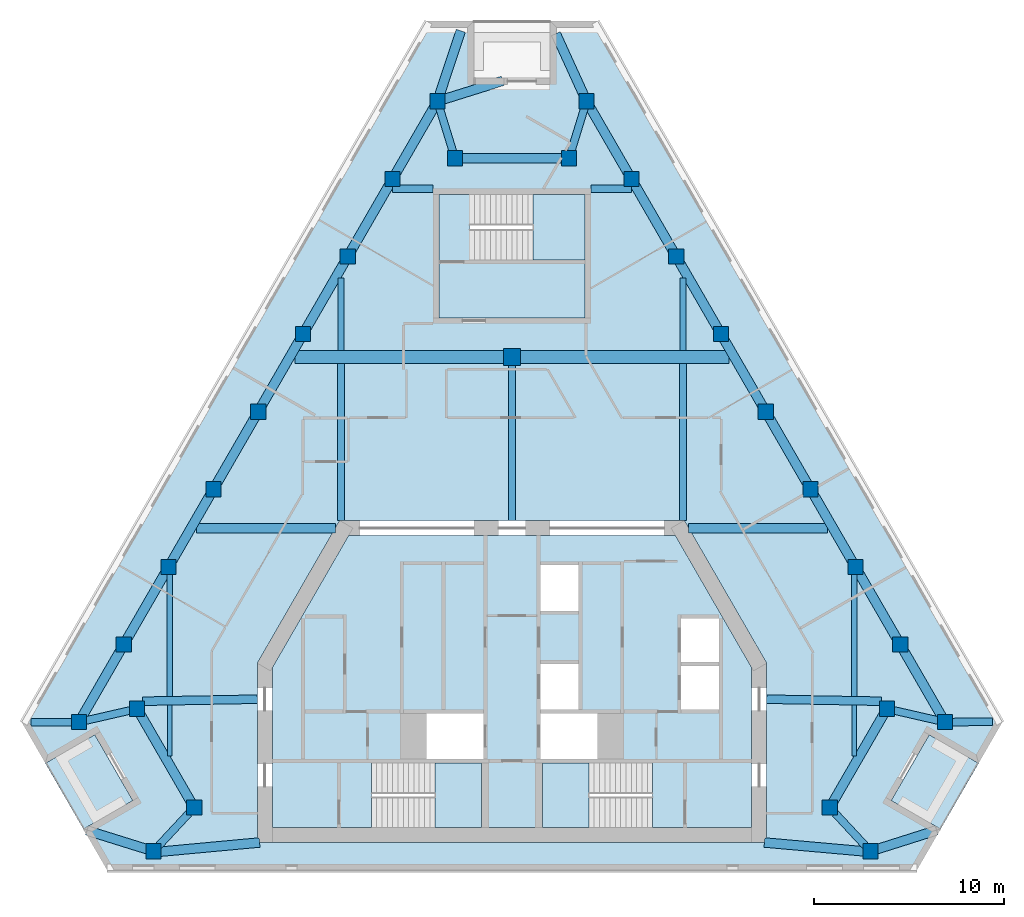
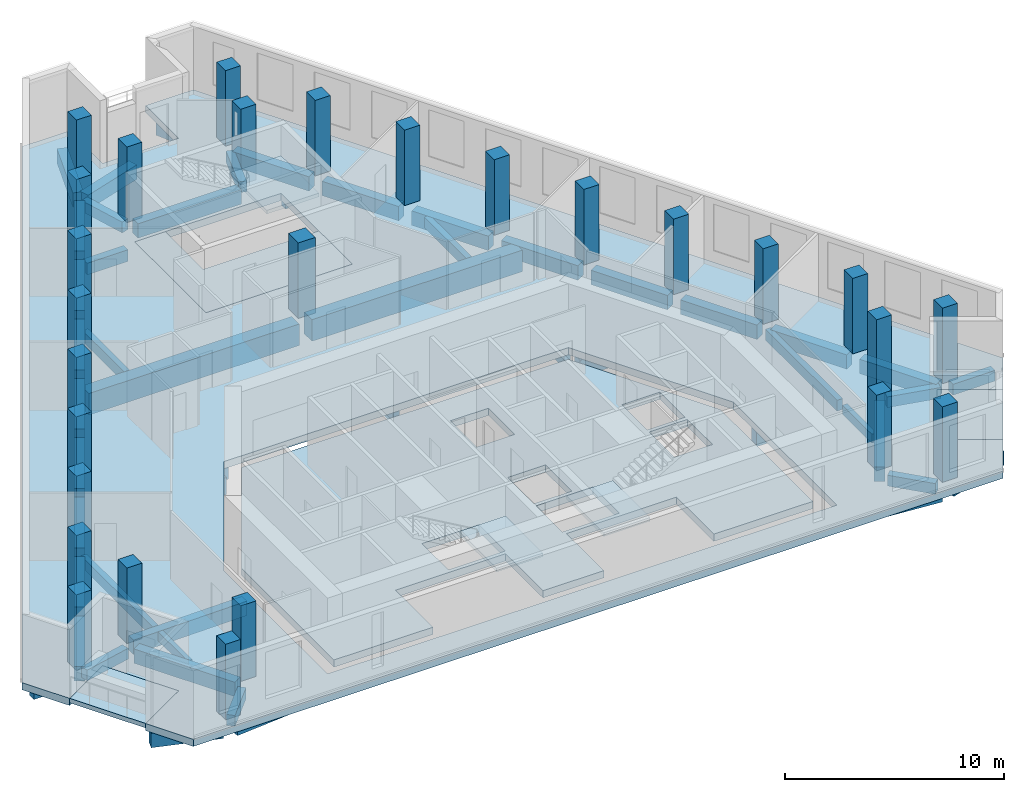
# One storey, part 1 of 8: 51 beams, 27 columns, 8 slabs, 3 elements without a shape of their own.
"""IFC4 building model written with IfcOpenShell, lengths in metres."""

from ifc_helpers import new_model, si_unit, direction, frame, origin, origin_2d, place, context, subcontext, project, spatial, polyline, rectangle, outline, extrude, material, layer, layer_set, material_profile, profile_set, type_object, element, aggregate, save


model = new_model("IFC4")

# Units and contexts
model_context = context("Model", 3, precision=1e-05, world=origin(), true_north=direction((0.0, 1.0)))
body_context = subcontext(model_context, "Body", "Model", "MODEL_VIEW")
ifc_project = project(units=[si_unit("LENGTHUNIT", "METRE"), si_unit("AREAUNIT", "SQUARE_METRE"), si_unit("VOLUMEUNIT", "CUBIC_METRE"), si_unit("PLANEANGLEUNIT", "RADIAN"), si_unit("MASSUNIT", "GRAM", prefix="KILO")], contexts=[model_context])

# Site, building, storey
site_placement = place(None, origin())
site = spatial("IfcSite", under=ifc_project, at=site_placement, CompositionType="ELEMENT")
building_placement = place(site_placement, origin())
building = spatial("IfcBuilding", under=site, at=building_placement, Name="Fogline Exchange Tower", CompositionType="ELEMENT")
storey_placement = place(building_placement, frame((0.0, 0.0, 275.10009765625)))
storey = spatial("IfcBuildingStorey", under=building, at=storey_placement, Name="L62", CompositionType="ELEMENT", Elevation=275.10009765625)

# Columns
ifc_material_1 = material(Name="Concrete C60", Category="concrete")
ifc_material_profile_1 = material_profile(ifc_material_1, rectangle(XDim=0.89990234375, YDim=0.89990234375, at=origin_2d()), Name="RC 900x900")
ifc_profile_set_1 = profile_set([ifc_material_profile_1], Name="Concrete C60")
column_type_1 = type_object("IfcColumnType", Name="C06", PredefinedType="COLUMN", material=ifc_profile_set_1)
column_placement = place(storey_placement, frame((0.0, 27.0, 0.0), z_axis=(0.0, 0.0, 1.0), x_axis=(1.0, 0.0, 0.0)))
element("IfcColumn", 1, at=column_placement, inside=storey, type_object=column_type_1, Name="IC-0-27", PredefinedType="COLUMN", context=body_context, shape_type="SweptSolid", body=[
    extrude(rectangle(XDim=0.89990234375, YDim=0.89990234375, at=origin_2d()), origin(), (0.0, 0.0, 1.0), 4.199951171875),
])
ifc_material_profile_2 = material_profile(ifc_material_1, rectangle(XDim=0.800048828125, YDim=0.800048828125, at=origin_2d()), Name="RC 800x800")
ifc_profile_set_2 = profile_set([ifc_material_profile_2], Name="Concrete C60")
column_type_2 = type_object("IfcColumnType", Name="C07", PredefinedType="COLUMN", material=ifc_profile_set_2)
for number, where, z_axis, x_axis, name in (
    (2, (-22.7802734375, 7.794189453125, 0.0), (0.0, 0.0, 1.0), (1.0, 0.0, 0.0), "SW-a"),
    (3, (-19.720947265625, 8.4951171875, 0.0), (0.0, 0.0, 1.0), (1.0, 0.0, 0.0), "SW-p4"),
    (4, (-16.720947265625, 3.299072265625, 0.0), (0.0, 0.0, 1.0), (1.0, 0.0, 0.0), "SW-p3"),
    (5, (-18.857666015625, 1.0, 0.0), (0.0, 0.0, 1.0), (1.0, 0.0, 0.0), "SW-b"),
    (6, (18.857666015625, 1.0, 0.0), (0.0, 0.0, 1.0), (1.0, 0.0, 0.0), "SE-a"),
    (7, (16.720947265625, 3.299072265625, 0.0), (0.0, 0.0, 1.0), (1.0, 0.0, 0.0), "SE-p4"),
    (8, (19.720947265625, 8.4951171875, 0.0), (0.0, 0.0, 1.0), (1.0, 0.0, 0.0), "SE-p3"),
    (9, (22.7802734375, 7.794189453125, 0.0), (0.0, 0.0, 1.0), (1.0, 0.0, 0.0), "SE-b"),
    (10, (20.423095703125, 11.876953125, 0.0), (0.0, 0.0, 1.0), (1.0, 0.0, 0.0), "E1"),
    (11, (18.06591796875, 15.959716796875, 0.0), (0.0, 0.0, 1.0), (1.0, 0.0, 0.0), "E2"),
    (12, (15.708740234375, 20.04248046875, 0.0), (0.0, 0.0, 1.0), (1.0, 0.0, 0.0), "E3"),
    (13, (13.3515625, 24.12548828125, 0.0), (0.0, 0.0, 1.0), (1.0, 0.0, 0.0), "E4"),
    (14, (10.994384765625, 28.208251953125, 0.0), (0.0, 0.0, 1.0), (1.0, 0.0, 0.0), "E5"),
    (15, (8.63720703125, 32.291015625, 0.0), (0.0, 0.0, 1.0), (1.0, 0.0, 0.0), "E6"),
    (16, (6.27978515625, 36.373779296875, 0.0), (0.0, 0.0, 1.0), (1.0, 0.0, 0.0), "E7"),
    (17, (3.922607421875, 40.456787109375, 0.0), (0.0, 0.0, 1.0), (1.0, 0.0, 0.0), "N-a"),
    (18, (3.0, 37.456787109375, 0.0), (0.0, 0.0, 1.0), (1.0, 0.0, 0.0), "N-p4"),
    (19, (-3.0, 37.456787109375, 0.0), (0.0, 0.0, 1.0), (1.0, 0.0, 0.0), "N-p3"),
    (20, (-3.922607421875, 40.456787109375, 0.0), (0.0, 0.0, 1.0), (1.0, 0.0, 0.0), "N-b"),
    (21, (-6.27978515625, 36.373779296875, 0.0), (0.0, 0.0, 1.0), (1.0, 0.0, 0.0), "W1"),
    (22, (-8.63720703125, 32.291015625, 0.0), (0.0, 0.0, 1.0), (1.0, 0.0, 0.0), "W2"),
    (23, (-10.994384765625, 28.208251953125, 0.0), (0.0, 0.0, 1.0), (1.0, 0.0, 0.0), "W3"),
    (24, (-13.3515625, 24.12548828125, 0.0), (0.0, 0.0, 1.0), (1.0, 0.0, 0.0), "W4"),
    (25, (-15.708740234375, 20.04248046875, 0.0), (0.0, 0.0, 1.0), (1.0, 0.0, 0.0), "W5"),
    (26, (-18.06591796875, 15.959716796875, 0.0), (0.0, 0.0, 1.0), (1.0, 0.0, 0.0), "W6"),
    (27, (-20.423095703125, 11.876953125, 0.0), (0.0, 0.0, 1.0), (1.0, 0.0, 0.0), "W7"),
):
    element("IfcColumn", number, at=place(storey_placement, frame(where, z_axis=z_axis, x_axis=x_axis)), inside=storey, type_object=column_type_2, Name=name, PredefinedType="COLUMN", context=body_context, shape_type="SweptSolid", body=[
        extrude(rectangle(XDim=0.800048828125, YDim=0.800048828125, at=origin_2d()), origin(), (0.0, 0.0, 1.0), 4.199951171875),
    ])

# Beams
ifc_material_2 = material(Name="Concrete C40", Category="concrete")
ifc_material_profile_3 = material_profile(ifc_material_2, rectangle(XDim=0.300048828125, YDim=0.60009765625, at=origin_2d()), Name="RC 300x600")
ifc_profile_set_3 = profile_set([ifc_material_profile_3], Name="Concrete C40")
beam_type_1 = type_object("IfcBeamType", Name="B06", PredefinedType="BEAM", material=ifc_profile_set_3)
beam_1_placement = place(storey_placement, frame((-18.0, 9.1435546875, -0.7001953125), z_axis=(0.0, 1.0, 0.0), x_axis=(-1.0, 0.0, 0.0)))
element("IfcBeam", 28, at=beam_1_placement, inside=storey, type_object=beam_type_1, Name="SB002", PredefinedType="BEAM", context=body_context, shape_type="SweptSolid", body=[
    extrude(rectangle(XDim=0.300048828125, YDim=0.60009765625, at=origin_2d()), origin(), (0.0, 0.0, 1.0), 6.5361328125),
])
for number, where, z_axis, x_axis, name in (
    (29, (-9.0, 27.35009765625, -0.7001953125), (0.0, 1.0, 0.0), (-1.0, 0.0, 0.0), "SB004"),
    (30, (9.0, 27.35009765625, -0.7001953125), (0.0, 1.0, 0.0), (-1.0, 0.0, 0.0), "SB007"),
):
    element("IfcBeam", number, at=place(storey_placement, frame(where, z_axis=z_axis, x_axis=x_axis)), inside=storey, type_object=beam_type_1, Name=name, PredefinedType="BEAM", context=body_context, shape_type="SweptSolid", body=[
        extrude(rectangle(XDim=0.300048828125, YDim=0.60009765625, at=origin_2d()), origin(), (0.0, 0.0, 1.0), 3.812255859375),
    ])
beam_2_placement = place(storey_placement, frame((18.0, 9.1435546875, -0.7001953125), z_axis=(0.0, 1.0, 0.0), x_axis=(-1.0, 0.0, 0.0)))
element("IfcBeam", 31, at=beam_2_placement, inside=storey, type_object=beam_type_1, Name="SB009", PredefinedType="BEAM", context=body_context, shape_type="SweptSolid", body=[
    extrude(rectangle(XDim=0.300048828125, YDim=0.60009765625, at=origin_2d()), origin(), (0.0, 0.0, 1.0), 6.5361328125),
])
ifc_material_profile_4 = material_profile(ifc_material_2, rectangle(XDim=0.25, YDim=0.5, at=origin_2d()), Name="RC 250x500")
ifc_profile_set_4 = profile_set([ifc_material_profile_4], Name="Concrete C40")
beam_type_2 = type_object("IfcBeamType", Name="B08", PredefinedType="BEAM", material=ifc_profile_set_4)
for number, where, z_axis, x_axis, name in (
    (32, (-18.0, 6.014404296875, -0.650146484375), (0.0, 1.0, 0.0), (-1.0, 0.0, 0.0), "SB001"),
    (33, (18.0, 6.014404296875, -0.650146484375), (0.0, 1.0, 0.0), (-1.0, 0.0, 0.0), "SB008"),
):
    element("IfcBeam", number, at=place(storey_placement, frame(where, z_axis=z_axis, x_axis=x_axis)), inside=storey, type_object=beam_type_2, Name=name, PredefinedType="BEAM", context=body_context, shape_type="SweptSolid", body=[
        extrude(rectangle(XDim=0.25, YDim=0.5, at=origin_2d()), origin(), (0.0, 0.0, 1.0), 2.67919921875),
    ])
ifc_material_profile_5 = material_profile(ifc_material_2, rectangle(XDim=0.5, YDim=0.800048828125, at=origin_2d()), Name="RC 500x800")
ifc_profile_set_5 = profile_set([ifc_material_profile_5], Name="Concrete C40")
beam_type_3 = type_object("IfcBeamType", Name="B10", PredefinedType="BEAM", material=ifc_profile_set_5)
beam_3_placement = place(storey_placement, frame((-19.550048828125, 8.19921875, -0.800048828125), z_axis=(0.500011318533, -0.866018868928, 0.0), x_axis=(0.866018868928, 0.500011318533, 0.0)))
element("IfcBeam", 34, at=beam_3_placement, inside=storey, type_object=beam_type_3, Name="RB002", PredefinedType="BEAM", context=body_context, shape_type="SweptSolid", body=[
    extrude(rectangle(XDim=0.5, YDim=0.800048828125, at=origin_2d()), origin(), (0.0, 0.0, 1.0), 5.31640625),
])
beam_4_placement = place(storey_placement, frame((-18.5771484375, 0.970703125, -0.800048828125), z_axis=(0.995739815684, 0.092207480512, 0.0), x_axis=(-0.092207480512, 0.995739815684, 0.0)))
element("IfcBeam", 35, at=beam_4_placement, inside=storey, type_object=beam_type_3, Name="RB004", PredefinedType="BEAM", context=body_context, shape_type="SweptSolid", body=[
    extrude(rectangle(XDim=0.5, YDim=0.800048828125, at=origin_2d()), origin(), (0.0, 0.0, 1.0), 5.3193359375),
])
beam_5_placement = place(storey_placement, frame((13.280517578125, 1.460693359375, -0.800048828125), z_axis=(0.996066339578, -0.088610649246, 0.0), x_axis=(0.088610649246, 0.996066339578, 0.0)))
element("IfcBeam", 36, at=beam_5_placement, inside=storey, type_object=beam_type_3, Name="RB005", PredefinedType="BEAM", context=body_context, shape_type="SweptSolid", body=[
    extrude(rectangle(XDim=0.5, YDim=0.800048828125, at=origin_2d()), origin(), (0.0, 0.0, 1.0), 5.317626953125),
])
beam_6_placement = place(storey_placement, frame((16.891845703125, 3.59521484375, -0.800048828125), z_axis=(0.500011318533, 0.866018868928, 0.0), x_axis=(-0.866018868928, 0.500011318533, 0.0)))
element("IfcBeam", 37, at=beam_6_placement, inside=storey, type_object=beam_type_3, Name="RB007", PredefinedType="BEAM", context=body_context, shape_type="SweptSolid", body=[
    extrude(rectangle(XDim=0.5, YDim=0.800048828125, at=origin_2d()), origin(), (0.0, 0.0, 1.0), 5.31640625),
])
for number, where, z_axis, x_axis, name in (
    (38, (22.609375, 8.09033203125, -0.800048828125), (-0.500002082887, 0.866024201226, 0.0), (-0.866024201226, -0.500002082887, 0.0), "RB009"),
    (39, (20.252197265625, 12.173095703125, -0.800048828125), (-0.500002082887, 0.866024201226, 0.0), (-0.866024201226, -0.500002082887, 0.0), "RB010"),
    (40, (17.89501953125, 16.255859375, -0.800048828125), (-0.500002082887, 0.866024201226, 0.0), (-0.866024201226, -0.500002082887, 0.0), "RB011"),
):
    element("IfcBeam", number, at=place(storey_placement, frame(where, z_axis=z_axis, x_axis=x_axis)), inside=storey, type_object=beam_type_3, Name=name, PredefinedType="BEAM", context=body_context, shape_type="SweptSolid", body=[
        extrude(rectangle(XDim=0.5, YDim=0.800048828125, at=origin_2d()), origin(), (0.0, 0.0, 1.0), 4.03076171875),
    ])
for number, where, z_axis, x_axis, name in (
    (41, (15.53759765625, 20.338623046875, -0.800048828125), (-0.499956653746, 0.866050428309, 0.0), (-0.866050428309, -0.499956653746, 0.0), "RB012"),
    (42, (13.180419921875, 24.42138671875, -0.800048828125), (-0.499956653746, 0.866050428309, 0.0), (-0.866050428309, -0.499956653746, 0.0), "RB013"),
    (43, (10.8232421875, 28.50439453125, -0.800048828125), (-0.499956653746, 0.866050428309, 0.0), (-0.866050428309, -0.499956653746, 0.0), "RB014"),
):
    element("IfcBeam", number, at=place(storey_placement, frame(where, z_axis=z_axis, x_axis=x_axis)), inside=storey, type_object=beam_type_3, Name=name, PredefinedType="BEAM", context=body_context, shape_type="SweptSolid", body=[
        extrude(rectangle(XDim=0.5, YDim=0.800048828125, at=origin_2d()), origin(), (0.0, 0.0, 1.0), 4.030517578125),
    ])
for number, where, z_axis, x_axis, name in (
    (44, (8.466064453125, 32.587158203125, -0.800048828125), (-0.500002082887, 0.866024201226, 0.0), (-0.866024201226, -0.500002082887, 0.0), "RB015"),
    (45, (6.10888671875, 36.669921875, -0.800048828125), (-0.500002082887, 0.866024201226, 0.0), (-0.866024201226, -0.500002082887, 0.0), "RB016"),
):
    element("IfcBeam", number, at=place(storey_placement, frame(where, z_axis=z_axis, x_axis=x_axis)), inside=storey, type_object=beam_type_3, Name=name, PredefinedType="BEAM", context=body_context, shape_type="SweptSolid", body=[
        extrude(rectangle(XDim=0.5, YDim=0.800048828125, at=origin_2d()), origin(), (0.0, 0.0, 1.0), 4.03076171875),
    ])
beam_7_placement = place(storey_placement, frame((2.719970703125, 37.456787109375, -0.800048828125), z_axis=(-1.0, 0.0, 0.0), x_axis=(0.0, -1.0, 0.0)))
element("IfcBeam", 46, at=beam_7_placement, inside=storey, type_object=beam_type_3, Name="RB018", PredefinedType="BEAM", context=body_context, shape_type="SweptSolid", body=[
    extrude(rectangle(XDim=0.5, YDim=0.800048828125, at=origin_2d()), origin(), (0.0, 0.0, 1.0), 5.43994140625),
])
for number, where, z_axis, x_axis, name in (
    (47, (-4.093505859375, 40.16064453125, -0.800048828125), (-0.500002082887, -0.866024201226, 0.0), (0.866024201226, -0.500002082887, 0.0), "RB020"),
    (48, (-6.45068359375, 36.077880859375, -0.800048828125), (-0.500002082887, -0.866024201226, 0.0), (0.866024201226, -0.500002082887, 0.0), "RB021"),
):
    element("IfcBeam", number, at=place(storey_placement, frame(where, z_axis=z_axis, x_axis=x_axis)), inside=storey, type_object=beam_type_3, Name=name, PredefinedType="BEAM", context=body_context, shape_type="SweptSolid", body=[
        extrude(rectangle(XDim=0.5, YDim=0.800048828125, at=origin_2d()), origin(), (0.0, 0.0, 1.0), 4.03076171875),
    ])
for number, where, z_axis, x_axis, name in (
    (49, (-8.80810546875, 31.9951171875, -0.800048828125), (-0.499956653746, -0.866050428309, 0.0), (0.866050428309, -0.499956653746, 0.0), "RB022"),
    (50, (-11.165283203125, 27.912109375, -0.800048828125), (-0.499956653746, -0.866050428309, 0.0), (0.866050428309, -0.499956653746, 0.0), "RB023"),
    (51, (-13.5224609375, 23.829345703125, -0.800048828125), (-0.499956653746, -0.866050428309, 0.0), (0.866050428309, -0.499956653746, 0.0), "RB024"),
):
    element("IfcBeam", number, at=place(storey_placement, frame(where, z_axis=z_axis, x_axis=x_axis)), inside=storey, type_object=beam_type_3, Name=name, PredefinedType="BEAM", context=body_context, shape_type="SweptSolid", body=[
        extrude(rectangle(XDim=0.5, YDim=0.800048828125, at=origin_2d()), origin(), (0.0, 0.0, 1.0), 4.030517578125),
    ])
for number, where, z_axis, x_axis, name in (
    (52, (-15.879638671875, 19.74658203125, -0.800048828125), (-0.500002082887, -0.866024201226, 0.0), (0.866024201226, -0.500002082887, 0.0), "RB025"),
    (53, (-18.23681640625, 15.663818359375, -0.800048828125), (-0.500002082887, -0.866024201226, 0.0), (0.866024201226, -0.500002082887, 0.0), "RB026"),
    (54, (-20.593994140625, 11.5810546875, -0.800048828125), (-0.500002082887, -0.866024201226, 0.0), (0.866024201226, -0.500002082887, 0.0), "RB027"),
):
    element("IfcBeam", number, at=place(storey_placement, frame(where, z_axis=z_axis, x_axis=x_axis)), inside=storey, type_object=beam_type_3, Name=name, PredefinedType="BEAM", context=body_context, shape_type="SweptSolid", body=[
        extrude(rectangle(XDim=0.5, YDim=0.800048828125, at=origin_2d()), origin(), (0.0, 0.0, 1.0), 4.03076171875),
    ])
beam_8_placement = place(storey_placement, frame((3.790283203125, 40.747314453125, -0.800048828125), z_axis=(-0.414547672788, 0.910027596827, 0.0), x_axis=(-0.910027596827, -0.414547672788, 0.0)))
element("IfcBeam", 55, at=beam_8_placement, inside=storey, type_object=beam_type_3, Name="SP028", PredefinedType="BEAM", context=body_context, shape_type="SweptSolid", body=[
    extrude(rectangle(XDim=0.5, YDim=0.800048828125, at=origin_2d()), origin(), (0.0, 0.0, 1.0), 3.580810546875),
])
beam_9_placement = place(storey_placement, frame((-3.827880859375, 40.742919921875, -0.800048828125), z_axis=(0.314884052228, 0.949130145793, 0.0), x_axis=(-0.949130145793, 0.314884052228, 0.0)))
element("IfcBeam", 56, at=beam_9_placement, inside=storey, type_object=beam_type_3, Name="SP029", PredefinedType="BEAM", context=body_context, shape_type="SweptSolid", body=[
    extrude(rectangle(XDim=0.5, YDim=0.800048828125, at=origin_2d()), origin(), (0.0, 0.0, 1.0), 3.598388671875),
])
beam_10_placement = place(storey_placement, frame((19.143310546875, 1.09033203125, -0.800048828125), z_axis=(0.953330716542, 0.301928045893, 0.0), x_axis=(-0.301928045893, 0.953330716542, 0.0)))
element("IfcBeam", 57, at=beam_10_placement, inside=storey, type_object=beam_type_3, Name="SP030", PredefinedType="BEAM", context=body_context, shape_type="SweptSolid", body=[
    extrude(rectangle(XDim=0.5, YDim=0.800048828125, at=origin_2d()), origin(), (0.0, 0.0, 1.0), 3.358154296875),
])
beam_11_placement = place(storey_placement, frame((-19.14306640625, 1.089111328125, -0.800048828125), z_axis=(-0.95464851982, 0.297735123231, 0.0), x_axis=(-0.297735123231, -0.95464851982, 0.0)))
element("IfcBeam", 58, at=beam_11_placement, inside=storey, type_object=beam_type_3, Name="SP031", PredefinedType="BEAM", context=body_context, shape_type="SweptSolid", body=[
    extrude(rectangle(XDim=0.5, YDim=0.800048828125, at=origin_2d()), origin(), (0.0, 0.0, 1.0), 3.37353515625),
])
beam_12_placement = place(storey_placement, frame((-3.63720703125, 40.546142578125, -0.800048828125), z_axis=(0.954270342063, 0.298945002063, 0.0), x_axis=(-0.298945002063, 0.954270342063, 0.0)))
element("IfcBeam", 59, at=beam_12_placement, inside=storey, type_object=beam_type_3, Name="SP034", PredefinedType="BEAM", context=body_context, shape_type="SweptSolid", body=[
    extrude(rectangle(XDim=0.5, YDim=0.800048828125, at=origin_2d()), origin(), (0.0, 0.0, 1.0), 3.298583984375),
])
ifc_material_profile_6 = material_profile(ifc_material_2, rectangle(XDim=0.39990234375, YDim=0.60009765625, at=origin_2d()), Name="RC 400x600")
ifc_profile_set_6 = profile_set([ifc_material_profile_6], Name="Concrete C40")
beam_type_4 = type_object("IfcBeamType", Name="B11", PredefinedType="BEAM", material=ifc_profile_set_6)
beam_13_placement = place(storey_placement, frame((-22.497314453125, 7.859130859375, -0.7001953125), z_axis=(0.974742274944, 0.223332705705, 0.0), x_axis=(-0.223332705705, 0.974742274944, 0.0)))
element("IfcBeam", 60, at=beam_13_placement, inside=storey, type_object=beam_type_4, Name="RB001", PredefinedType="BEAM", context=body_context, shape_type="SweptSolid", body=[
    extrude(rectangle(XDim=0.39990234375, YDim=0.60009765625, at=origin_2d()), origin(), (0.0, 0.0, 1.0), 2.55810546875),
])
for number, where, z_axis, x_axis, name in (
    (61, (-17.010986328125, 2.98681640625, -0.7001953125), (-0.680795043466, -0.732473964583, 0.0), (0.732473964583, -0.680795043466, 0.0), "RB003"),
    (62, (18.567626953125, 1.31201171875, -0.7001953125), (-0.680795043466, 0.732473964583, 0.0), (-0.732473964583, -0.680795043466, 0.0), "RB006"),
):
    element("IfcBeam", number, at=place(storey_placement, frame(where, z_axis=z_axis, x_axis=x_axis)), inside=storey, type_object=beam_type_4, Name=name, PredefinedType="BEAM", context=body_context, shape_type="SweptSolid", body=[
        extrude(rectangle(XDim=0.39990234375, YDim=0.60009765625, at=origin_2d()), origin(), (0.0, 0.0, 1.0), 2.28662109375),
    ])
beam_14_placement = place(storey_placement, frame((20.00390625, 8.430419921875, -0.7001953125), z_axis=(0.974742274944, -0.223332705705, 0.0), x_axis=(0.223332705705, 0.974742274944, 0.0)))
element("IfcBeam", 63, at=beam_14_placement, inside=storey, type_object=beam_type_4, Name="RB008", PredefinedType="BEAM", context=body_context, shape_type="SweptSolid", body=[
    extrude(rectangle(XDim=0.39990234375, YDim=0.60009765625, at=origin_2d()), origin(), (0.0, 0.0, 1.0), 2.55810546875),
])
for number, where, z_axis, x_axis, name in (
    (64, (3.8349609375, 40.17138671875, -0.7001953125), (-0.294011603251, -0.955801850361, 0.0), (0.955801850361, -0.294011603251, 0.0), "RB017"),
    (65, (-3.087646484375, 37.741943359375, -0.7001953125), (-0.294011603251, 0.955801850361, 0.0), (-0.955801850361, -0.294011603251, 0.0), "RB019"),
):
    element("IfcBeam", number, at=place(storey_placement, frame(where, z_axis=z_axis, x_axis=x_axis)), inside=storey, type_object=beam_type_4, Name=name, PredefinedType="BEAM", context=body_context, shape_type="SweptSolid", body=[
        extrude(rectangle(XDim=0.39990234375, YDim=0.60009765625, at=origin_2d()), origin(), (0.0, 0.0, 1.0), 2.541748046875),
    ])
beam_15_placement = place(storey_placement, frame((-23.060302734375, 7.794189453125, -0.7001953125), z_axis=(-1.0, 0.0, 0.0), x_axis=(0.0, -1.0, 0.0)))
element("IfcBeam", 66, at=beam_15_placement, inside=storey, type_object=beam_type_4, Name="SP032", PredefinedType="BEAM", context=body_context, shape_type="SweptSolid", body=[
    extrude(rectangle(XDim=0.39990234375, YDim=0.60009765625, at=origin_2d()), origin(), (0.0, 0.0, 1.0), 2.23681640625),
])
beam_16_placement = place(storey_placement, frame((23.060302734375, 7.796142578125, -0.7001953125), z_axis=(0.999974552329, 0.007134051795, 0.0), x_axis=(-0.007134051795, 0.999974552329, 0.0)))
element("IfcBeam", 67, at=beam_16_placement, inside=storey, type_object=beam_type_4, Name="SP033", PredefinedType="BEAM", context=body_context, shape_type="SweptSolid", body=[
    extrude(rectangle(XDim=0.39990234375, YDim=0.60009765625, at=origin_2d()), origin(), (0.0, 0.0, 1.0), 2.224365234375),
])
ifc_material_profile_7 = material_profile(ifc_material_2, rectangle(XDim=0.39990234375, YDim=0.64990234375, at=origin_2d()), Name="RC 400x650")
ifc_profile_set_7 = profile_set([ifc_material_profile_7], Name="Concrete C40")
beam_type_5 = type_object("IfcBeamType", Name="B13", PredefinedType="BEAM", material=ifc_profile_set_7)
for number, where, z_axis, x_axis, name in (
    (68, (-6.28955078125, 35.85693359375, -0.72509765625), (1.0, 0.0, 0.0), (0.0, 1.0, 0.0), "GB007"),
    (69, (4.14990234375, 35.85693359375, -0.72509765625), (1.0, 0.0, 0.0), (0.0, 1.0, 0.0), "GB008"),
):
    element("IfcBeam", number, at=place(storey_placement, frame(where, z_axis=z_axis, x_axis=x_axis)), inside=storey, type_object=beam_type_5, Name=name, PredefinedType="BEAM", context=body_context, shape_type="SweptSolid", body=[
        extrude(rectangle(XDim=0.39990234375, YDim=0.64990234375, at=origin_2d()), origin(), (0.0, 0.0, 1.0), 2.1396484375),
    ])
ifc_material_profile_8 = material_profile(ifc_material_2, rectangle(XDim=0.5, YDim=0.949951171875, at=origin_2d()), Name="RC 500x950")
ifc_profile_set_8 = profile_set([ifc_material_profile_8], Name="Concrete C40")
beam_type_6 = type_object("IfcBeamType", Name="B14", PredefinedType="BEAM", material=ifc_profile_set_8)
for number, where, z_axis, x_axis, name in (
    (70, (-16.599365234375, 18.0, -0.875), (1.0, 0.0, 0.0), (0.0, 1.0, 0.0), "GB003"),
    (71, (9.296142578125, 18.0, -0.875), (1.0, 0.0, 0.0), (0.0, 1.0, 0.0), "GB004"),
):
    element("IfcBeam", number, at=place(storey_placement, frame(where, z_axis=z_axis, x_axis=x_axis)), inside=storey, type_object=beam_type_6, Name=name, PredefinedType="BEAM", context=body_context, shape_type="SweptSolid", body=[
        extrude(rectangle(XDim=0.5, YDim=0.949951171875, at=origin_2d()), origin(), (0.0, 0.0, 1.0), 7.30322265625),
    ])
ifc_material_profile_9 = material_profile(ifc_material_2, rectangle(XDim=0.35009765625, YDim=0.64990234375, at=origin_2d()), Name="RC 350x650")
ifc_profile_set_9 = profile_set([ifc_material_profile_9], Name="Concrete C40")
beam_type_7 = type_object("IfcBeamType", Name="B16", PredefinedType="BEAM", material=ifc_profile_set_9)
beam_17_placement = place(storey_placement, frame((-9.0, 18.39990234375, -0.72509765625), z_axis=(0.0, 1.0, 0.0), x_axis=(-1.0, 0.0, 0.0)))
element("IfcBeam", 72, at=beam_17_placement, inside=storey, type_object=beam_type_7, Name="SB003", PredefinedType="BEAM", context=body_context, shape_type="SweptSolid", body=[
    extrude(rectangle(XDim=0.35009765625, YDim=0.64990234375, at=origin_2d()), origin(), (0.0, 0.0, 1.0), 8.25),
])
beam_18_placement = place(storey_placement, frame((0.0, 18.39990234375, -0.72509765625), z_axis=(0.0, 1.0, 0.0), x_axis=(-1.0, 0.0, 0.0)))
element("IfcBeam", 73, at=beam_18_placement, inside=storey, type_object=beam_type_7, Name="SB005", PredefinedType="BEAM", context=body_context, shape_type="SweptSolid", body=[
    extrude(rectangle(XDim=0.35009765625, YDim=0.64990234375, at=origin_2d()), origin(), (0.0, 0.0, 1.0), 8.27001953125),
])
beam_19_placement = place(storey_placement, frame((9.0, 18.39990234375, -0.72509765625), z_axis=(0.0, 1.0, 0.0), x_axis=(-1.0, 0.0, 0.0)))
element("IfcBeam", 74, at=beam_19_placement, inside=storey, type_object=beam_type_7, Name="SB006", PredefinedType="BEAM", context=body_context, shape_type="SweptSolid", body=[
    extrude(rectangle(XDim=0.35009765625, YDim=0.64990234375, at=origin_2d()), origin(), (0.0, 0.0, 1.0), 8.25),
])
ifc_material_profile_10 = material_profile(ifc_material_2, rectangle(XDim=0.699951171875, YDim=1.199951171875, at=origin_2d()), Name="RC 700x1200")
ifc_profile_set_10 = profile_set([ifc_material_profile_10], Name="Concrete C40")
beam_type_8 = type_object("IfcBeamType", Name="B17", PredefinedType="BEAM", material=ifc_profile_set_10)
for number, where, z_axis, x_axis, name in (
    (75, (-11.4033203125, 27.0, -1.0), (1.0, 0.0, 0.0), (0.0, 1.0, 0.0), "GB005"),
    (76, (0.330078125, 27.0, -1.0), (1.0, 0.0, 0.0), (0.0, 1.0, 0.0), "GB006"),
):
    element("IfcBeam", number, at=place(storey_placement, frame(where, z_axis=z_axis, x_axis=x_axis)), inside=storey, type_object=beam_type_8, Name=name, PredefinedType="BEAM", context=body_context, shape_type="SweptSolid", body=[
        extrude(rectangle(XDim=0.699951171875, YDim=1.199951171875, at=origin_2d()), origin(), (0.0, 0.0, 1.0), 11.0732421875),
    ])
ifc_material_profile_11 = material_profile(ifc_material_2, rectangle(XDim=0.449951171875, YDim=0.800048828125, at=origin_2d()), Name="RC 450x800")
ifc_profile_set_11 = profile_set([ifc_material_profile_11], Name="Concrete C40")
beam_type_9 = type_object("IfcBeamType", Name="B18", PredefinedType="BEAM", material=ifc_profile_set_11)
for number, where, z_axis, x_axis, name in (
    (77, (-19.44091796875, 8.89306640625, -0.800048828125), (0.999843369488, 0.017698488354, 0.0), (-0.017698488354, 0.999843369488, 0.0), "GB001"),
    (78, (13.39990234375, 9.0, -0.800048828125), (0.999843369488, -0.017698488354, 0.0), (0.017698488354, 0.999843369488, 0.0), "GB002"),
):
    element("IfcBeam", number, at=place(storey_placement, frame(where, z_axis=z_axis, x_axis=x_axis)), inside=storey, type_object=beam_type_9, Name=name, PredefinedType="BEAM", context=body_context, shape_type="SweptSolid", body=[
        extrude(rectangle(XDim=0.449951171875, YDim=0.800048828125, at=origin_2d()), origin(), (0.0, 0.0, 1.0), 6.0419921875),
    ])

# Slabs
ifc_layer_1 = layer(ifc_material_2, 0.25)
ifc_layer_set_1 = layer_set([ifc_layer_1], Name="DK1")
slab_type_1 = type_object("IfcSlabType", Name="DK1", PredefinedType="FLOOR", material=ifc_layer_set_1)
slab_1_placement = place(storey_placement, frame((0.0, 0.0, -0.25)))
element("IfcSlab", 79, at=slab_1_placement, inside=storey, type_object=slab_type_1, Name="Balcony L62 SW", PredefinedType="FLOOR", context=body_context, shape_type="SweptSolid", body=[
    extrude(outline(polyline([(-24.547119140625, 5.629150390625), (-22.547119140625, 2.1650390625), (-19.948974609375, 3.6650390625), (-21.948974609375, 7.129150390625), (-24.547119140625, 5.629150390625)])), origin(), (0.0, 0.0, 1.0), 0.25),
])
slab_2_placement = place(storey_placement, frame((0.0, 0.0, -0.25)))
element("IfcSlab", 80, at=slab_2_placement, inside=storey, type_object=slab_type_1, Name="Balcony L62 SE", PredefinedType="FLOOR", context=body_context, shape_type="SweptSolid", body=[
    extrude(outline(polyline([(22.547119140625, 2.1650390625), (24.547119140625, 5.629150390625), (21.948974609375, 7.129150390625), (19.948974609375, 3.6650390625), (22.547119140625, 2.1650390625)])), origin(), (0.0, 0.0, 1.0), 0.25),
])
ifc_layer_2 = layer(ifc_material_2, 0.39990234375)
ifc_layer_set_2 = layer_set([ifc_layer_2], Name="S03")
slab_type_2 = type_object("IfcSlabType", Name="S03", PredefinedType="FLOOR", material=ifc_layer_set_2)
slab_3_placement = place(storey_placement, frame((0.0, 0.0, -0.400146484375)))
element("IfcSlab", 81, at=slab_3_placement, inside=storey, type_object=slab_type_2, Name="SLAB L62", PredefinedType="FLOOR", context=body_context, shape_type="SweptSolid", body=[
    extrude(outline(polyline([(-2.0, 44.681640625), (-4.5, 44.681640625), (-25.797119140625, 7.794189453125), (-24.547119140625, 5.629150390625), (-21.948974609375, 7.129150390625), (-19.948974609375, 3.6650390625), (-22.547119140625, 2.1650390625), (-21.297119140625, 0.0), (21.297119140625, 0.0), (22.547119140625, 2.1650390625), (19.948974609375, 3.6650390625), (21.948974609375, 7.129150390625), (24.547119140625, 5.629150390625), (25.797119140625, 7.794189453125), (4.5, 44.681640625), (2.0, 44.681640625), (2.0, 41.681640625), (-2.0, 41.681640625), (-2.0, 44.681640625)]), holes=[polyline([(13.39990234375, 10.891845703125), (13.39990234375, 1.449951171875), (-13.39990234375, 1.449951171875), (-13.39990234375, 10.891845703125), (-9.065185546875, 18.39990234375), (9.065185546875, 18.39990234375), (13.39990234375, 10.891845703125)]), polyline([(3.85009765625, 35.556884765625), (3.85009765625, 29.056884765625), (-3.85009765625, 29.056884765625), (-3.85009765625, 35.556884765625), (3.85009765625, 35.556884765625)])]), origin(), (0.0, 0.0, 1.0), 0.400146484375),
])
slab_4_placement = place(storey_placement, frame((0.0, 0.0, -0.400146484375)))
element("IfcSlab", 82, at=slab_4_placement, inside=storey, type_object=slab_type_2, Name="Core floor slab", PredefinedType="FLOOR", context=body_context, shape_type="SweptSolid", body=[
    extrude(outline(polyline([(-12.60009765625, 2.25), (-12.60009765625, 10.677490234375), (-8.603271484375, 17.60009765625), (8.603271484375, 17.60009765625), (12.60009765625, 10.677490234375), (12.60009765625, 2.25), (7.389892578125, 2.25), (7.389892578125, 5.64990234375), (1.60009765625, 5.64990234375), (1.60009765625, 2.25), (-1.60009765625, 2.25), (-1.60009765625, 5.64990234375), (-7.389892578125, 5.64990234375), (-7.389892578125, 2.25), (-12.60009765625, 2.25)]), holes=[polyline([(-4.5, 8.25), (-4.5, 5.85009765625), (-1.5, 5.85009765625), (-1.5, 8.25), (-4.5, 8.25)]), polyline([(1.5, 8.25), (1.5, 5.85009765625), (4.5, 5.85009765625), (4.5, 8.25), (1.5, 8.25)]), polyline([(8.89990234375, 10.75), (8.89990234375, 8.449951171875), (10.89990234375, 8.449951171875), (10.89990234375, 10.75), (8.89990234375, 10.75)]), polyline([(1.5, 10.85009765625), (1.5, 8.449951171875), (3.5, 8.449951171875), (3.5, 10.85009765625), (1.5, 10.85009765625)]), polyline([(8.89990234375, 13.25), (8.89990234375, 10.949951171875), (10.89990234375, 10.949951171875), (10.89990234375, 13.25), (8.89990234375, 13.25)]), polyline([(1.5, 16.050048828125), (1.5, 13.64990234375), (3.5, 13.64990234375), (3.5, 16.050048828125), (1.5, 16.050048828125)])]), origin(), (0.0, 0.0, 1.0), 0.400146484375),
])
slab_5_placement = place(storey_placement, frame((0.0, 0.0, -0.400146484375)))
element("IfcSlab", 83, at=slab_5_placement, inside=storey, type_object=slab_type_2, Name="Stair enclosure floor slab", PredefinedType="FLOOR", context=body_context, shape_type="SweptSolid", body=[
    extrude(outline(polyline([(3.85009765625, 29.056884765625), (-3.85009765625, 29.056884765625), (-3.85009765625, 35.556884765625), (-2.239990234375, 35.556884765625), (-2.239990234375, 32.10693359375), (3.85009765625, 32.10693359375), (3.85009765625, 29.056884765625)])), origin(), (0.0, 0.0, 1.0), 0.400146484375),
])

# Stair, slab
stair_type = type_object("IfcStairType", Name="STR26-1615", PredefinedType="HALF_TURN_STAIR", material=ifc_material_2)
stair_1_placement = place(storey_placement, origin())
stair_1 = element("IfcStair", 84, at=stair_1_placement, inside=storey, type_object=stair_type, Name="Stair ST1", PredefinedType="HALF_TURN_STAIR")
ifc_layer_3 = layer(ifc_material_2, 0.199951171875)
ifc_layer_set_3 = layer_set([ifc_layer_3], Name="SL200")
slab_type_3 = type_object("IfcSlabType", Name="SL200", PredefinedType="LANDING", material=ifc_layer_set_3)
slab_6_placement = place(storey_placement, frame((0.0, 0.0, 1.89990234375)))
slab_6 = element("IfcSlab", 85, at=slab_6_placement, type_object=slab_type_3, Name="ST1 landing 1", PredefinedType="LANDING", context=body_context, shape_type="SweptSolid", body=[
    extrude(outline(polyline([(-4.0400390625, 2.25), (-1.60009765625, 2.25), (-1.60009765625, 5.64990234375), (-4.0400390625, 5.64990234375), (-4.0400390625, 2.25)])), origin(), (0.0, 0.0, 1.0), 0.199951171875),
])
aggregate(stair_1, [slab_6])

stair_2_placement = place(storey_placement, origin())
stair_2 = element("IfcStair", 86, at=stair_2_placement, inside=storey, type_object=stair_type, Name="Stair ST2", PredefinedType="HALF_TURN_STAIR")
slab_7_placement = place(storey_placement, frame((0.0, 0.0, 1.89990234375)))
slab_7 = element("IfcSlab", 87, at=slab_7_placement, type_object=slab_type_3, Name="ST2 landing 1", PredefinedType="LANDING", context=body_context, shape_type="SweptSolid", body=[
    extrude(outline(polyline([(1.60009765625, 2.25), (4.0400390625, 2.25), (4.0400390625, 5.64990234375), (1.60009765625, 5.64990234375), (1.60009765625, 2.25)])), origin(), (0.0, 0.0, 1.0), 0.199951171875),
])
aggregate(stair_2, [slab_7])

stair_3_placement = place(storey_placement, origin())
stair_3 = element("IfcStair", 88, at=stair_3_placement, inside=storey, type_object=stair_type, Name="Stair ST3", PredefinedType="HALF_TURN_STAIR")
slab_8_placement = place(storey_placement, frame((0.0, 0.0, 1.89990234375)))
slab_8 = element("IfcSlab", 89, at=slab_8_placement, type_object=slab_type_3, Name="ST3 landing 1", PredefinedType="LANDING", context=body_context, shape_type="SweptSolid", body=[
    extrude(outline(polyline([(1.110107421875, 32.10693359375), (3.85009765625, 32.10693359375), (3.85009765625, 35.556884765625), (1.110107421875, 35.556884765625), (1.110107421875, 32.10693359375)])), origin(), (0.0, 0.0, 1.0), 0.199951171875),
])
aggregate(stair_3, [slab_8])

save(model, "model.ifc")
